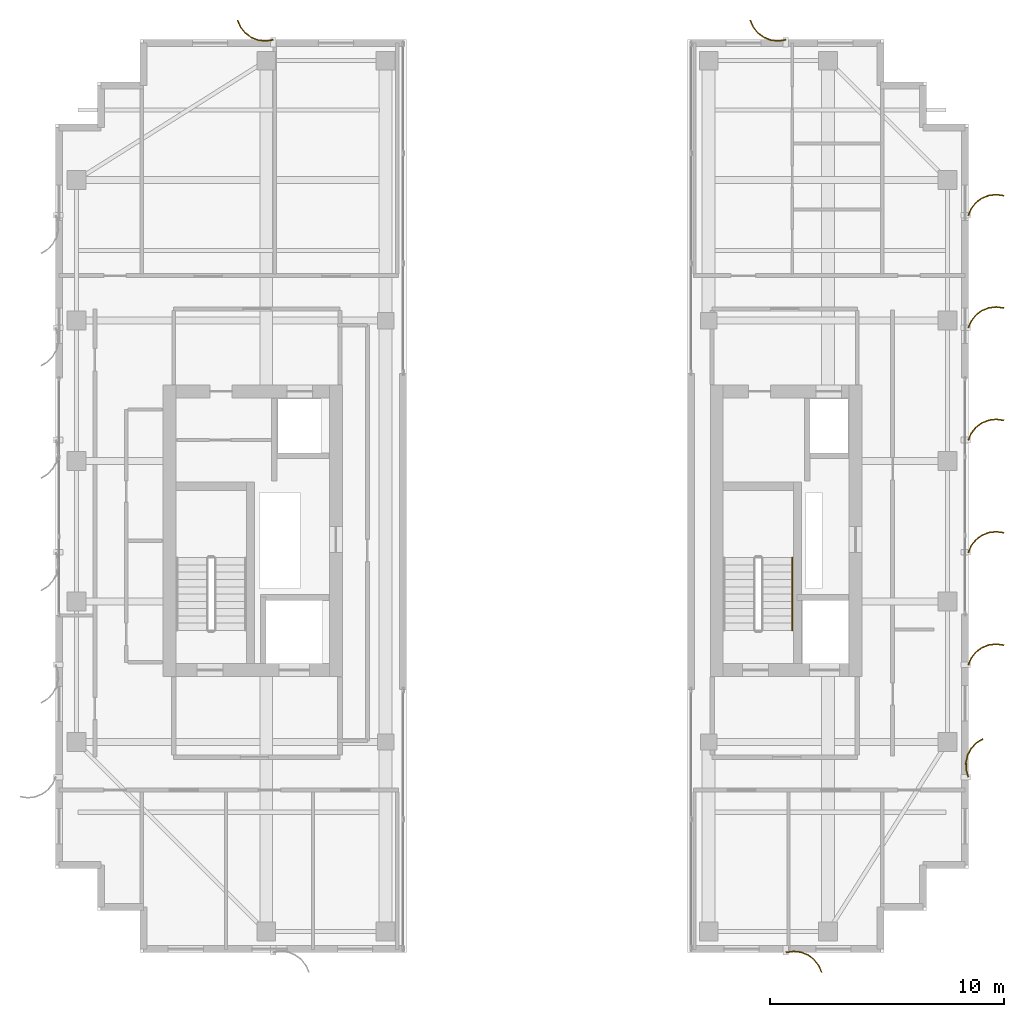
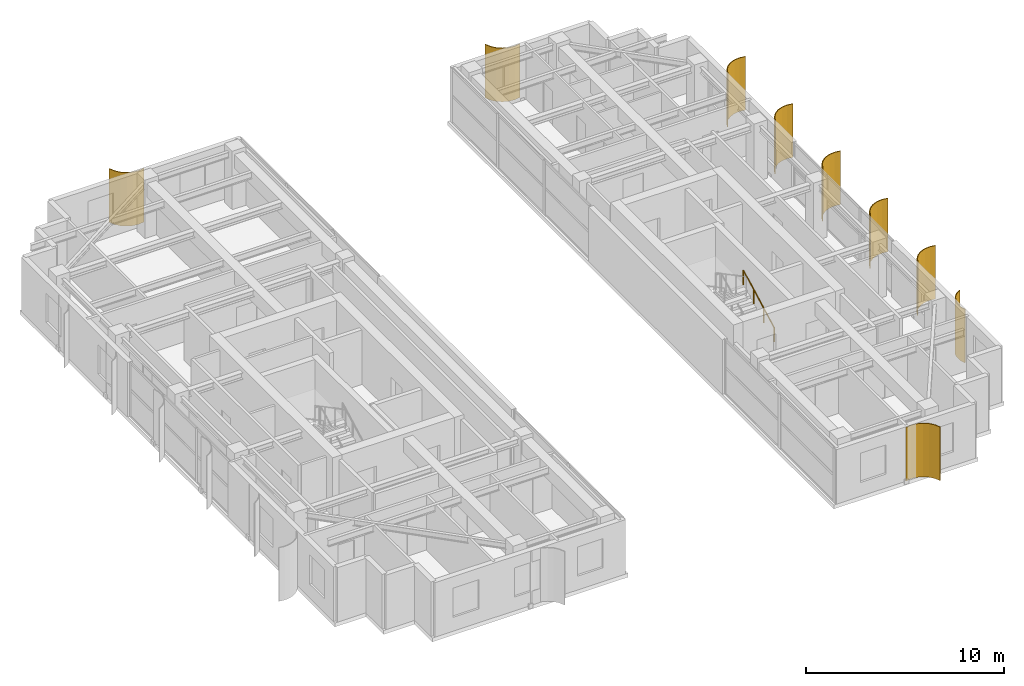
# One storey, part 24 of 24: 9 shading devices, 1 railing.
"""IFC4 building model written with IfcOpenShell, lengths in metres."""

import ifcopenshell
import ifcopenshell.guid

model = None  # the IFC model being written
_history = None  # IfcOwnerHistory: only IFC2X3 demands one
_inside = {}  # id of a spatial element -> (the spatial element, [elements in it])
_under = {}  # id of a project, library or spatial element -> (it, [spatial elements below it])
_declared = {}  # id of a project -> (the project, [libraries it declares])
_typed = {}  # id of a type object -> (the type object, [elements of that type])
_made_of = {}  # id of a material, layer set ... -> (it, [elements and type objects made of it])


def new_model(schema):
    """Start an empty IFC model of exactly this schema.

    Asked for "IFC4X3", IfcOpenShell would pick the latest addendum, in which some entities
    have other attributes; the version numbers below select the first issue.
    IFC2X3 requires an IfcOwnerHistory on every rooted entity: one is made here for all.
    """
    global model, _history
    if schema == "IFC4X3":
        model = ifcopenshell.file(schema_version=(4, 3, 0, 0))
    else:
        model = ifcopenshell.file(schema=schema)
    _inside.clear()
    _under.clear()
    _declared.clear()
    _typed.clear()
    _made_of.clear()
    _history = None
    if model.schema == "IFC2X3":
        org = make("IfcOrganization", Name="unknown")
        user = make(
            "IfcPersonAndOrganization",
            ThePerson=make("IfcPerson", FamilyName="unknown"),
            TheOrganization=org,
        )
        app = make(
            "IfcApplication",
            ApplicationDeveloper=org,
            Version="unknown",
            ApplicationFullName="unknown",
            ApplicationIdentifier="unknown",
        )
        _history = make(
            "IfcOwnerHistory",
            OwningUser=user,
            OwningApplication=app,
            ChangeAction="ADDED",
            CreationDate=0,
        )
    return model


def make(cls, **values):
    """One entity of the class cls with the attributes given. An attribute that is None is left unset."""
    return model.create_entity(
        cls, **{name: value for name, value in values.items() if value is not None}
    )


def rooted(cls, **values):
    """An entity with a GlobalId (a new one), such as an element, a storey or a relation."""
    return make(cls, GlobalId=ifcopenshell.guid.new(), OwnerHistory=_history, **values)


def si_unit(unit_type, name, prefix=None):
    """IfcSIUnit, for example si_unit("LENGTHUNIT", "METRE", prefix="MILLI")."""
    return make("IfcSIUnit", UnitType=unit_type, Prefix=prefix, Name=name)


def assignment(units):
    """IfcUnitAssignment: the units of a project."""
    return None if units is None else make("IfcUnitAssignment", Units=units)


def point(xyz):
    """IfcCartesianPoint."""
    return None if xyz is None else make("IfcCartesianPoint", Coordinates=xyz)


def direction(xyz):
    """IfcDirection."""
    return None if xyz is None else make("IfcDirection", DirectionRatios=xyz)


def frame(location, z_axis=None, x_axis=None):
    """IfcAxis2Placement3D, a coordinate frame: its origin and axes. An axis left out is left unset."""
    return make(
        "IfcAxis2Placement3D",
        Location=point(location),
        Axis=direction(z_axis),
        RefDirection=direction(x_axis),
    )


def frame_2d(location, x_axis=None):
    """IfcAxis2Placement2D, a coordinate frame in the plane: its origin and x axis."""
    return make(
        "IfcAxis2Placement2D", Location=point(location), RefDirection=direction(x_axis)
    )


def origin():
    """The frame at (0, 0, 0) with its axes left unset."""
    return frame((0.0, 0.0, 0.0))


def origin_2d():
    """The frame at (0, 0) in the plane with its x axis left unset."""
    return frame_2d((0.0, 0.0))


def place(relative_to, where):
    """IfcLocalPlacement: puts the frame where relative to a parent placement (None: the world)."""
    return make(
        "IfcLocalPlacement", PlacementRelTo=relative_to, RelativePlacement=where
    )


def context(
    kind, dimensions, precision=None, world=None, true_north=None, identifier=None
):
    """IfcGeometricRepresentationContext, for example the 3D "Model" context."""
    return make(
        "IfcGeometricRepresentationContext",
        ContextIdentifier=identifier,
        ContextType=kind,
        CoordinateSpaceDimension=dimensions,
        Precision=precision,
        WorldCoordinateSystem=world,
        TrueNorth=true_north,
    )


def subcontext(parent, identifier, kind, view, scale=None):
    """IfcGeometricRepresentationSubContext, for example "Body" below "Model"."""
    return make(
        "IfcGeometricRepresentationSubContext",
        ContextIdentifier=identifier,
        ContextType=kind,
        ParentContext=parent,
        TargetScale=scale,
        TargetView=view,
    )


def project(units=None, contexts=None):
    """IfcProject with its units and contexts."""
    return rooted(
        "IfcProject",
        Name="project",
        RepresentationContexts=contexts,
        UnitsInContext=assignment(units),
    )


def spatial(cls, under=None, at=None, **own):
    """A site, building, storey or space (cls), placed at a placement, below another one or the project."""
    s = rooted(cls, ObjectPlacement=at, **own)
    if under is not None:
        _under.setdefault(under.id(), (under, []))[1].append(s)
    return s


def polyline(points):
    """IfcPolyline through the points."""
    return make("IfcPolyline", Points=[point(p) for p in points])


def profile(cls, at=None, kind="AREA", **sizes):
    """A parametric profile (cls). Its sizes go by their IFC names, for example OverallWidth=200.0."""
    return make(cls, ProfileType=kind, Position=at, **sizes)


def circle(**sizes):
    """IfcCircleProfileDef."""
    return profile("IfcCircleProfileDef", **sizes)


def outline(outer, holes=None, kind="AREA"):
    """IfcArbitraryClosedProfileDef: a profile drawn as a closed curve; with holes, ...WithVoids."""
    if holes is None:
        return make("IfcArbitraryClosedProfileDef", ProfileType=kind, OuterCurve=outer)
    return make(
        "IfcArbitraryProfileDefWithVoids",
        ProfileType=kind,
        OuterCurve=outer,
        InnerCurves=holes,
    )


def extrude(swept, where, along, depth):
    """IfcExtrudedAreaSolid: the profile swept, set in the frame where, extruded along a direction by depth."""
    return make(
        "IfcExtrudedAreaSolid",
        SweptArea=swept,
        Position=where,
        ExtrudedDirection=direction(along),
        Depth=depth,
    )


def shape(context_of_items, identifier, shape_type, items):
    """IfcShapeRepresentation: the items that make up one representation, for example the "Body"."""
    return make(
        "IfcShapeRepresentation",
        ContextOfItems=context_of_items,
        RepresentationIdentifier=identifier,
        RepresentationType=shape_type,
        Items=items,
    )


def source(mapping_origin, context_of_items, identifier, shape_type, items):
    """IfcRepresentationMap: a shape defined once, which mapped items show again and again."""
    return make(
        "IfcRepresentationMap",
        MappingOrigin=mapping_origin,
        MappedRepresentation=shape(context_of_items, identifier, shape_type, items),
    )


def transform(
    local_origin,
    x_axis=None,
    y_axis=None,
    z_axis=None,
    scale=None,
    scale2=None,
    scale3=None,
    uniform=True,
):
    """IfcCartesianTransformationOperator3D, or its non-uniform kind. x_axis, y_axis, z_axis: its Axis1, 2, 3."""
    if uniform:
        return make(
            "IfcCartesianTransformationOperator3D",
            Axis1=direction(x_axis),
            Axis2=direction(y_axis),
            LocalOrigin=point(local_origin),
            Scale=scale,
            Axis3=direction(z_axis),
        )
    return make(
        "IfcCartesianTransformationOperator3DnonUniform",
        Axis1=direction(x_axis),
        Axis2=direction(y_axis),
        LocalOrigin=point(local_origin),
        Scale=scale,
        Axis3=direction(z_axis),
        Scale2=scale2,
        Scale3=scale3,
    )


def mapped(mapping_source, mapping_target):
    """IfcMappedItem: shows the shape of a source again, moved by a transform."""
    return make(
        "IfcMappedItem", MappingSource=mapping_source, MappingTarget=mapping_target
    )


def material(Name=None, Category=None):
    """IfcMaterial."""
    return make("IfcMaterial", Name=Name, Category=Category)


def layer(
    of_material, thickness, ventilated=None, Name=None, Category=None, Priority=None
):
    """IfcMaterialLayer: one layer of a wall or slab, of a material (None: an air gap)."""
    return make(
        "IfcMaterialLayer",
        Material=of_material,
        LayerThickness=thickness,
        IsVentilated=ventilated,
        Name=Name,
        Category=Category,
        Priority=Priority,
    )


def layer_set(layers, Name=None):
    """IfcMaterialLayerSet."""
    return make("IfcMaterialLayerSet", MaterialLayers=layers, LayerSetName=Name)


def made_of(thing, what):
    """Note that an element or type object is made of a material, layer set ...; save() writes the relation."""
    if what is not None:
        _made_of.setdefault(what.id(), (what, []))[1].append(thing)
    return thing


def type_object(cls, material=None, **own):
    """A type object (cls), such as IfcWallType, which elements share."""
    return made_of(rooted(cls, **own), material)


def element(
    cls,
    number,
    at=None,
    inside=None,
    cuts=None,
    type_object=None,
    material=None,
    context=None,
    identifier="Body",
    shape_type=None,
    held_by="IfcProductDefinitionShape",
    body=None,
    shapes=None,
    **own,
):
    """One element of the class cls, such as IfcWall. Its Tag is "e" and its number.

    at: its placement. inside: the storey or other place that contains it. cuts: it is an
    opening in that element (IfcRelVoidsElement). A single representation is given by context,
    identifier, shape_type and body (its items); several are given by shapes. held_by: the class
    of the entity that holds the representations. save() writes the other relations.
    """
    e = rooted(cls, Tag="e%d" % number, ObjectPlacement=at, **own)
    if body is not None:
        shapes = [shape(context, identifier, shape_type, body)]
    if shapes is not None:
        e.Representation = make(held_by, Representations=shapes)
    if inside is not None:
        _inside.setdefault(inside.id(), (inside, []))[1].append(e)
    if cuts is not None:
        rooted(
            "IfcRelVoidsElement", RelatingBuildingElement=cuts, RelatedOpeningElement=e
        )
    if type_object is not None:
        _typed.setdefault(type_object.id(), (type_object, []))[1].append(e)
    return made_of(e, material)


def aggregate(whole, parts):
    """IfcRelAggregates: a whole, such as a stair, and the parts it consists of."""
    return rooted("IfcRelAggregates", RelatingObject=whole, RelatedObjects=parts)


def save(model, path):
    """Write the relations noted so far, then the file.

    IfcRelAggregates (storeys below a building ...), IfcRelContainedInSpatialStructure (elements
    in a storey), IfcRelDefinesByType, IfcRelAssociatesMaterial and IfcRelDeclares: one each for
    every whole, place, type object, material and project.
    """
    for whole, parts in _under.values():
        aggregate(whole, parts)
    for where, things in _inside.values():
        rooted(
            "IfcRelContainedInSpatialStructure",
            RelatedElements=things,
            RelatingStructure=where,
        )
    for kind, things in _typed.values():
        rooted("IfcRelDefinesByType", RelatedObjects=things, RelatingType=kind)
    for what, things in _made_of.values():
        rooted("IfcRelAssociatesMaterial", RelatedObjects=things, RelatingMaterial=what)
    for by, libraries in _declared.values():
        rooted("IfcRelDeclares", RelatingContext=by, RelatedDefinitions=libraries)
    model.write(path)


model = new_model("IFC4")

# Units and contexts
model_context = context("Model", 3, precision=1e-05, world=origin(), true_north=direction((0.0, 1.0)))
body_context = subcontext(model_context, "Body", "Model", "MODEL_VIEW")
ifc_project = project(units=[si_unit("LENGTHUNIT", "METRE"), si_unit("AREAUNIT", "SQUARE_METRE"), si_unit("VOLUMEUNIT", "CUBIC_METRE"), si_unit("PLANEANGLEUNIT", "RADIAN"), si_unit("MASSUNIT", "GRAM", prefix="KILO")], contexts=[model_context])

# Site, building, storey
site_placement = place(None, origin())
site = spatial("IfcSite", under=ifc_project, at=site_placement, CompositionType="ELEMENT")
building_placement = place(site_placement, origin())
building = spatial("IfcBuilding", under=site, at=building_placement, Name="Khoralis Quay Care Tower", CompositionType="ELEMENT")
storey_placement = place(building_placement, frame((0.0, 0.0, 249.300048828125)))
storey = spatial("IfcBuildingStorey", under=building, at=storey_placement, Name="L65", CompositionType="ELEMENT", Elevation=249.300048828125)

# Railing
ifc_material_1 = material(Name="Brushed stainless steel", Category="steel")
railing_type = type_object("IfcRailingType", Name="RL-HAND-900", PredefinedType="HANDRAIL", material=ifc_material_1)
railing_placement = place(storey_placement, frame((34.469970703125, 16.77001953125, 0.16357421875)))
element("IfcRailing", 1, at=railing_placement, inside=storey, type_object=railing_type, Name="L65 ST-T2 stair handrail 1", PredefinedType="HANDRAIL", context=body_context, shape_type="SweptSolid", body=[
    extrude(circle(Radius=0.02392578125, at=origin_2d()), frame((0.0, 0.0, 0.8759765625), z_axis=(0.0, 0.884348015382, 0.466828220752), x_axis=(-1.0, 0.0, 0.0)), (0.0, 0.0, 1.0), 3.505615234375),
    extrude(circle(Radius=0.02099609375, at=origin_2d()), origin(), (0.0, 0.0, 1.0), 0.851806640625),
    extrude(circle(Radius=0.02099609375, at=origin_2d()), frame((0.0, 1.033447265625, 0.54541015625)), (0.0, 0.0, 1.0), 0.851806640625),
    extrude(circle(Radius=0.02099609375, at=origin_2d()), frame((0.0, 2.066650390625, 1.091064453125)), (0.0, 0.0, 1.0), 0.851806640625),
    extrude(circle(Radius=0.02099609375, at=origin_2d()), frame((0.0, 3.10009765625, 1.636474609375)), (0.0, 0.0, 1.0), 0.851806640625),
])

# Shading devices
ifc_material_2 = material(Name="Brushed pale anodised aluminium", Category="aluminium")
ifc_layer = layer(ifc_material_2, 0.044921875)
ifc_layer_set = layer_set([ifc_layer], Name="Brushed pale anodised aluminium")
shading_device_type = type_object("IfcShadingDeviceType", Name="SHD-FIN-1250", PredefinedType="USERDEFINED", material=ifc_layer_set)
shared_shape_1 = source(origin(), body_context, "Body", "SweptSolid", [
    extrude(outline(polyline([(0.0, 0.0), (0.130126953125, 0.29931640625), (0.333251953125, 0.5546875), (0.595458984375, 0.748779296875), (0.899169921875, 0.868408203125), (1.223388671875, 0.9052734375), (1.546142578125, 0.85693359375), (1.53369140625, 0.813720703125), (1.22265625, 0.8603515625), (0.91015625, 0.82470703125), (0.617431640625, 0.70947265625), (0.364501953125, 0.522216796875), (0.168701171875, 0.276123046875), (0.043212890625, -0.012451171875), (0.0, 0.0)])), origin(), (0.0, 0.0, 1.0), 3.300048828125),
])
for number, where, z_axis, x_axis, name in (
    (2, (41.969970703125, 15.300048828125, 0.02001953125), (0.0, 0.0, 1.0), (1.0, 0.0, 0.0), "L65 Curved Solar Fin P2E5-02"),
    (3, (41.969970703125, 20.10009765625, 0.02001953125), (0.0, 0.0, 1.0), (1.0, 0.0, 0.0), "L65 Curved Solar Fin P2E5-03"),
    (4, (41.969970703125, 24.89990234375, 0.02001953125), (0.0, 0.0, 1.0), (1.0, 0.0, 0.0), "L65 Curved Solar Fin P2E5-04"),
    (5, (41.969970703125, 29.699951171875, 0.02001953125), (0.0, 0.0, 1.0), (1.0, 0.0, 0.0), "L65 Curved Solar Fin P2E5-05"),
    (6, (41.969970703125, 34.5, 0.02001953125), (0.0, 0.0, 1.0), (1.0, 0.0, 0.0), "L65 Curved Solar Fin P2E5-06"),
):
    element("IfcShadingDevice", number, at=place(storey_placement, frame(where, z_axis=z_axis, x_axis=x_axis)), inside=storey, type_object=shading_device_type, Name=name, ObjectType="FIN", PredefinedType="USERDEFINED", context=body_context, shape_type="MappedRepresentation", body=[
        mapped(shared_shape_1, transform((0.0, 0.0, 0.0), scale=1.0)),
    ])
shared_shape_2 = source(origin(), body_context, "Body", "SweptSolid", [
    extrude(outline(polyline([(0.0, 0.0), (-0.04833984375, 0.32275390625), (-0.01123046875, 0.64697265625), (0.1083984375, 0.950439453125), (0.302490234375, 1.212890625), (0.557861328125, 1.416015625), (0.85693359375, 1.546142578125), (0.869384765625, 1.5029296875), (0.5810546875, 1.37744140625), (0.334716796875, 1.181640625), (0.147705078125, 0.9287109375), (0.032470703125, 0.635986328125), (-0.003173828125, 0.323486328125), (0.043212890625, 0.012451171875), (0.0, 0.0)])), origin(), (0.0, 0.0, 1.0), 3.300048828125),
])
for number, where, z_axis, x_axis, name in (
    (7, (12.300048828125, 41.969970703125, 0.02001953125), (0.0, 0.0, 1.0), (0.0, 1.0, 0.0), "L65 Curved Solar Fin P1E2-01"),
    (8, (34.199951171875, 3.030029296875, 0.02001953125), (0.0, 0.0, 1.0), (0.0, -1.0, 0.0), "L65 Curved Solar Fin P2E0-01"),
    (9, (34.199951171875, 41.969970703125, 0.02001953125), (0.0, 0.0, 1.0), (0.0, 1.0, 0.0), "L65 Curved Solar Fin P2E10-01"),
):
    element("IfcShadingDevice", number, at=place(storey_placement, frame(where, z_axis=z_axis, x_axis=x_axis)), inside=storey, type_object=shading_device_type, Name=name, ObjectType="FIN", PredefinedType="USERDEFINED", context=body_context, shape_type="MappedRepresentation", body=[
        mapped(shared_shape_2, transform((0.0, 0.0, 0.0), scale=1.0)),
    ])
shared_shape_3 = source(origin(), body_context, "Body", "SweptSolid", [
    extrude(outline(polyline([(0.0, 0.0), (-0.0927734375, 0.31298828125), (-0.101318359375, 0.63916015625), (-0.025146484375, 0.956298828125), (0.130615234375, 1.2431640625), (0.355224609375, 1.479736328125), (0.633544921875, 1.650390625), (0.65185546875, 1.609130859375), (0.383544921875, 1.44482421875), (0.1669921875, 1.216796875), (0.01708984375, 0.940185546875), (-0.056396484375, 0.63427734375), (-0.04833984375, 0.31982421875), (0.041015625, 0.018310546875), (0.0, 0.0)])), origin(), (0.0, 0.0, 1.0), 3.300048828125),
])
shading_device_placement = place(storey_placement, frame((41.969970703125, 10.5, 0.02001953125), z_axis=(0.0, 0.0, 1.0), x_axis=(1.0, 0.0, 0.0)))
element("IfcShadingDevice", 10, at=shading_device_placement, inside=storey, type_object=shading_device_type, Name="L65 Curved Solar Fin P2E5-01", ObjectType="FIN", PredefinedType="USERDEFINED", context=body_context, shape_type="MappedRepresentation", body=[
    mapped(shared_shape_3, transform((0.0, 0.0, 0.0), scale=1.0)),
])

save(model, "model.ifc")
